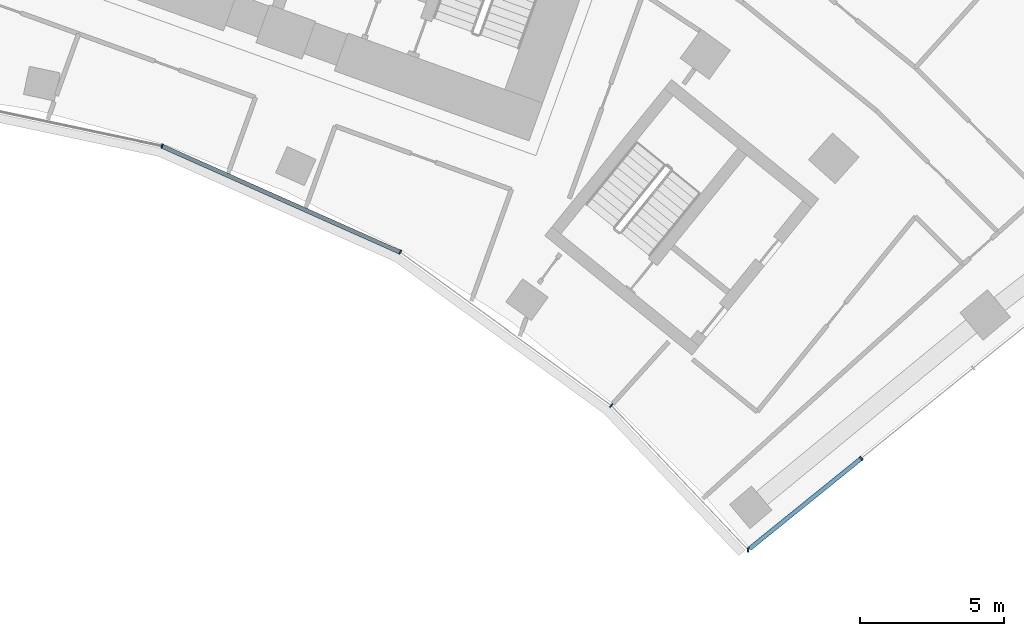
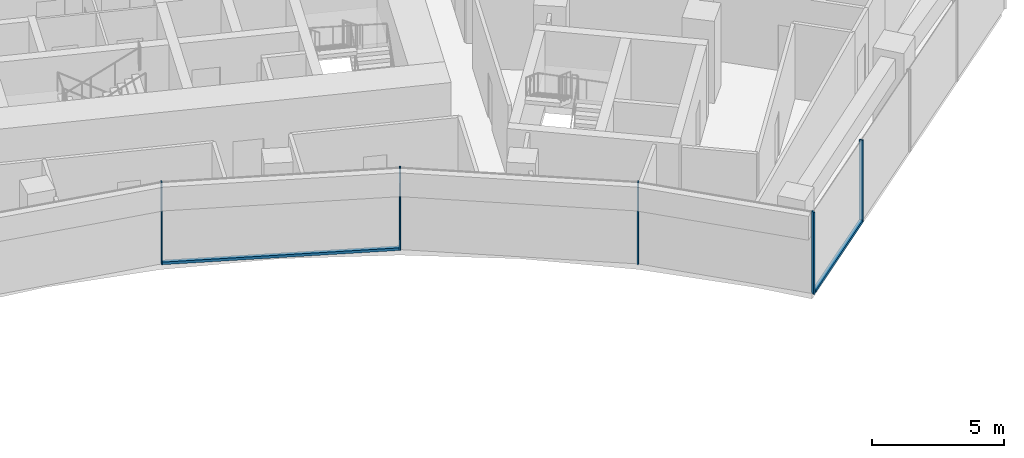
# One storey, part 8 of 21: 7 members, 2 elements without a shape of their own.
"""IFC4 building model written with IfcOpenShell, lengths in metres."""

from ifc_helpers import new_model, si_unit, direction, frame, origin, origin_2d, place, context, subcontext, project, spatial, rectangle, extrude, material, layer, layer_set, material_profile, profile_set, type_object, element, aggregate, save


model = new_model("IFC4")

# Units and contexts
model_context = context("Model", 3, precision=1e-05, world=origin(), true_north=direction((0.0, 1.0)))
body_context = subcontext(model_context, "Body", "Model", "MODEL_VIEW")
ifc_project = project(units=[si_unit("LENGTHUNIT", "METRE"), si_unit("AREAUNIT", "SQUARE_METRE"), si_unit("VOLUMEUNIT", "CUBIC_METRE"), si_unit("PLANEANGLEUNIT", "RADIAN"), si_unit("MASSUNIT", "GRAM", prefix="KILO")], contexts=[model_context])

# Site, building, storey
site_placement = place(None, origin())
site = spatial("IfcSite", under=ifc_project, at=site_placement, CompositionType="ELEMENT")
building_placement = place(site_placement, origin())
building = spatial("IfcBuilding", under=site, at=building_placement, Name="Stone Belt Terrace Tower", CompositionType="ELEMENT")
storey_placement = place(building_placement, frame((0.0, 0.0, 163.0)))
storey = spatial("IfcBuildingStorey", under=building, at=storey_placement, Name="L39", CompositionType="ELEMENT", Elevation=163.0)

# Curtain wall, members
ifc_material = material(Name="Aluminium 6063-T6 anodised frame", Category="aluminium")
ifc_layer_1 = layer(ifc_material, 0.14990234375)
ifc_layer_set_1 = layer_set([ifc_layer_1], Name="CW-B unitised concave-face curtain wall")
curtain_wall_type_1 = type_object("IfcCurtainWallType", Name="CW-B unitised concave-face curtain wall", PredefinedType="NOTDEFINED", material=ifc_layer_set_1)
curtain_wall_1_placement = place(storey_placement, origin())
curtain_wall_1 = element("IfcCurtainWall", 1, at=curtain_wall_1_placement, inside=storey, type_object=curtain_wall_type_1, Name="CW-B concave face L39", PredefinedType="NOTDEFINED")
ifc_material_profile_1 = material_profile(ifc_material, rectangle(XDim=0.14990234375, YDim=0.050048828125, at=origin_2d()), Name="Aluminium 6063-T6 50x150")
ifc_profile_set_1 = profile_set([ifc_material_profile_1], Name="Aluminium 6063-T6 anodised frame")
member_type_1 = type_object("IfcMemberType", Name="CW-B mullion 50 x 150", PredefinedType="MULLION", material=ifc_profile_set_1)
member_1_placement = place(storey_placement, frame((13.4189453125, 41.29931640625, 0.0), z_axis=(0.0, 0.0, 1.0), x_axis=(0.309016994375, 0.951056516295, 0.0)))
member_1 = element("IfcMember", 2, at=member_1_placement, type_object=member_type_1, Name="CW-B mullion 7", PredefinedType="MULLION", context=body_context, shape_type="SweptSolid", body=[
    extrude(rectangle(XDim=0.14990234375, YDim=0.050048828125, at=origin_2d()), origin(), (0.0, 0.0, 1.0), 3.800048828125),
])
member_2_placement = place(storey_placement, frame((21.71240234375, 37.606689453125, 0.0), z_axis=(0.0, 0.0, 1.0), x_axis=(0.5, 0.866025403784, 0.0)))
member_2 = element("IfcMember", 3, at=member_2_placement, type_object=member_type_1, Name="CW-B mullion 8", PredefinedType="MULLION", context=body_context, shape_type="SweptSolid", body=[
    extrude(rectangle(XDim=0.14990234375, YDim=0.050048828125, at=origin_2d()), origin(), (0.0, 0.0, 1.0), 3.800048828125),
])
member_3_placement = place(storey_placement, frame((29.0576171875, 32.270263671875, 0.0), z_axis=(0.0, 0.0, 1.0), x_axis=(0.65949451093, 0.751709378719, 0.0)))
member_3 = element("IfcMember", 4, at=member_3_placement, type_object=member_type_1, Name="CW-B mullion 9", PredefinedType="MULLION", context=body_context, shape_type="SweptSolid", body=[
    extrude(rectangle(XDim=0.14990234375, YDim=0.050048828125, at=origin_2d()), origin(), (0.0, 0.0, 1.0), 3.800048828125),
])
ifc_material_profile_2 = material_profile(ifc_material, rectangle(XDim=0.14990234375, YDim=0.1201171875, at=origin_2d()), Name="Aluminium 6063-T6 150x120")
ifc_profile_set_2 = profile_set([ifc_material_profile_2], Name="Aluminium 6063-T6 anodised frame")
member_type_2 = type_object("IfcMemberType", Name="CW-B transom 120 x 150", PredefinedType="USERDEFINED", material=ifc_profile_set_2)
member_4_placement = place(storey_placement, frame((13.44873046875, 41.285888671875, 0.06005859375), z_axis=(0.913548853737, -0.406729015237, 0.0), x_axis=(0.406729015237, 0.913548853737, 0.0)))
member_4 = element("IfcMember", 5, at=member_4_placement, type_object=member_type_2, Name="CW-B transom 7.1", ObjectType="TRANSOM", PredefinedType="USERDEFINED", context=body_context, shape_type="SweptSolid", body=[
    extrude(rectangle(XDim=0.14990234375, YDim=0.1201171875, at=origin_2d()), origin(), (0.0, 0.0, 1.0), 9.0126953125),
])
aggregate(curtain_wall_1, [member_1, member_2, member_3, member_4])

ifc_layer_2 = layer(ifc_material, 0.14990234375)
ifc_layer_set_2 = layer_set([ifc_layer_2], Name="CW-C stick curtain wall, horn ends and notches")
curtain_wall_type_2 = type_object("IfcCurtainWallType", Name="CW-C stick curtain wall, horn ends and notches", PredefinedType="NOTDEFINED", material=ifc_layer_set_2)
curtain_wall_2_placement = place(storey_placement, origin())
curtain_wall_2 = element("IfcCurtainWall", 6, at=curtain_wall_2_placement, inside=storey, type_object=curtain_wall_type_2, Name="CW-C end face L39", PredefinedType="NOTDEFINED")
ifc_material_profile_3 = material_profile(ifc_material, rectangle(XDim=0.14990234375, YDim=0.06005859375, at=origin_2d()), Name="Aluminium 6063-T6 60x150")
ifc_profile_set_3 = profile_set([ifc_material_profile_3], Name="Aluminium 6063-T6 anodised frame")
member_type_3 = type_object("IfcMemberType", Name="CW-C mullion 60 x 150", PredefinedType="MULLION", material=ifc_profile_set_3)
member_5_placement = place(storey_placement, frame((33.82080078125, 27.246826171875, 0.0), z_axis=(0.0, 0.0, 1.0), x_axis=(0.065995226501, 0.997819938706, 0.0)))
member_5 = element("IfcMember", 7, at=member_5_placement, type_object=member_type_3, Name="CW-C mullion 1", PredefinedType="MULLION", context=body_context, shape_type="SweptSolid", body=[
    extrude(rectangle(XDim=0.14990234375, YDim=0.06005859375, at=origin_2d()), origin(), (0.0, 0.0, 1.0), 3.800048828125),
])
member_6_placement = place(storey_placement, frame((37.762939453125, 30.433837890625, 0.0), z_axis=(0.0, 0.0, 1.0), x_axis=(-0.628705337721, 0.777643619096, 0.0)))
member_6 = element("IfcMember", 8, at=member_6_placement, type_object=member_type_3, Name="CW-C mullion 2", PredefinedType="MULLION", context=body_context, shape_type="SweptSolid", body=[
    extrude(rectangle(XDim=0.14990234375, YDim=0.06005859375, at=origin_2d()), origin(), (0.0, 0.0, 1.0), 3.800048828125),
])
ifc_material_profile_4 = material_profile(ifc_material, rectangle(XDim=0.14990234375, YDim=0.1201171875, at=origin_2d()), Name="Aluminium 6063-T6 150x120")
ifc_profile_set_4 = profile_set([ifc_material_profile_4], Name="Aluminium 6063-T6 anodised frame")
member_type_4 = type_object("IfcMemberType", Name="CW-C transom 120 x 150", PredefinedType="USERDEFINED", material=ifc_profile_set_4)
member_7_placement = place(storey_placement, frame((33.87744140625, 27.292724609375, 0.06005859375), z_axis=(0.777649970155, 0.628697482035, 0.0), x_axis=(-0.628697482035, 0.777649970155, 0.0)))
member_7 = element("IfcMember", 9, at=member_7_placement, type_object=member_type_4, Name="CW-C transom 1.1", ObjectType="TRANSOM", PredefinedType="USERDEFINED", context=body_context, shape_type="SweptSolid", body=[
    extrude(rectangle(XDim=0.14990234375, YDim=0.1201171875, at=origin_2d()), origin(), (0.0, 0.0, 1.0), 4.96630859375),
])
aggregate(curtain_wall_2, [member_5, member_6, member_7])

save(model, "model.ifc")
